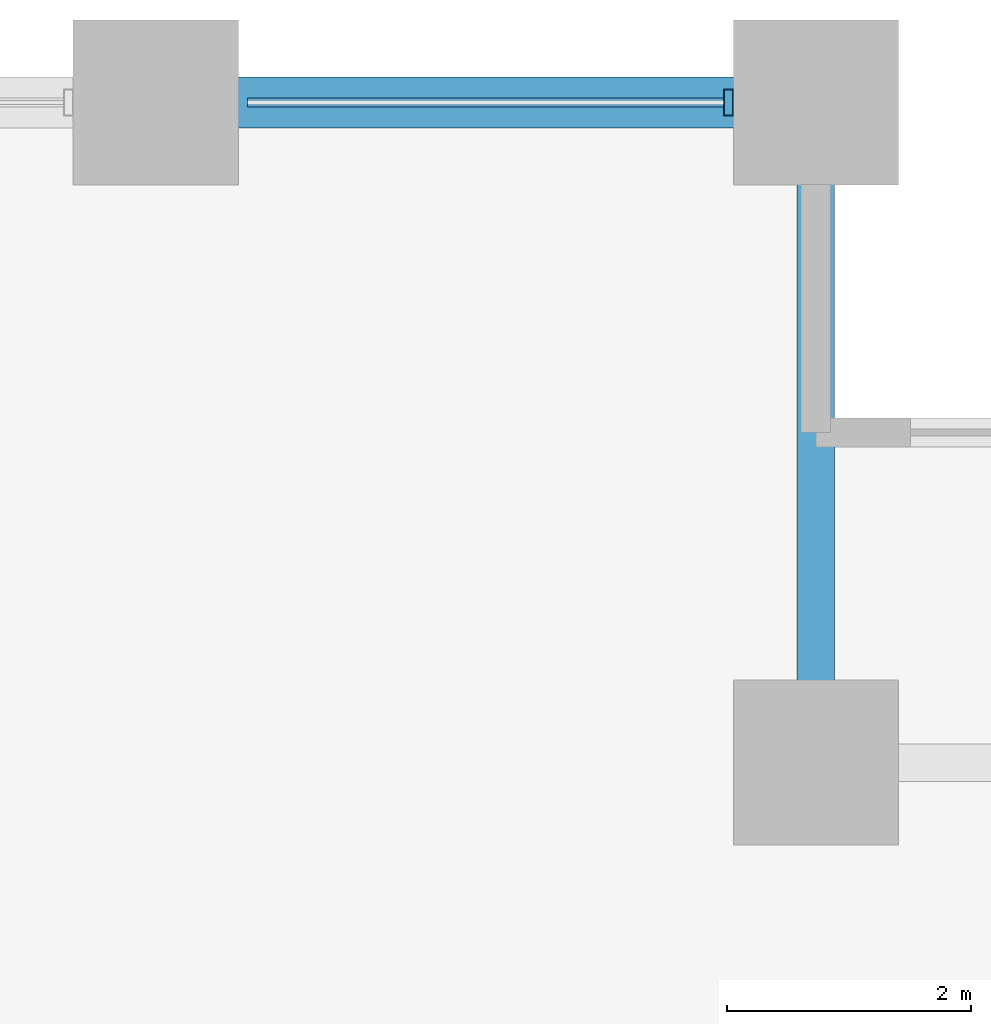
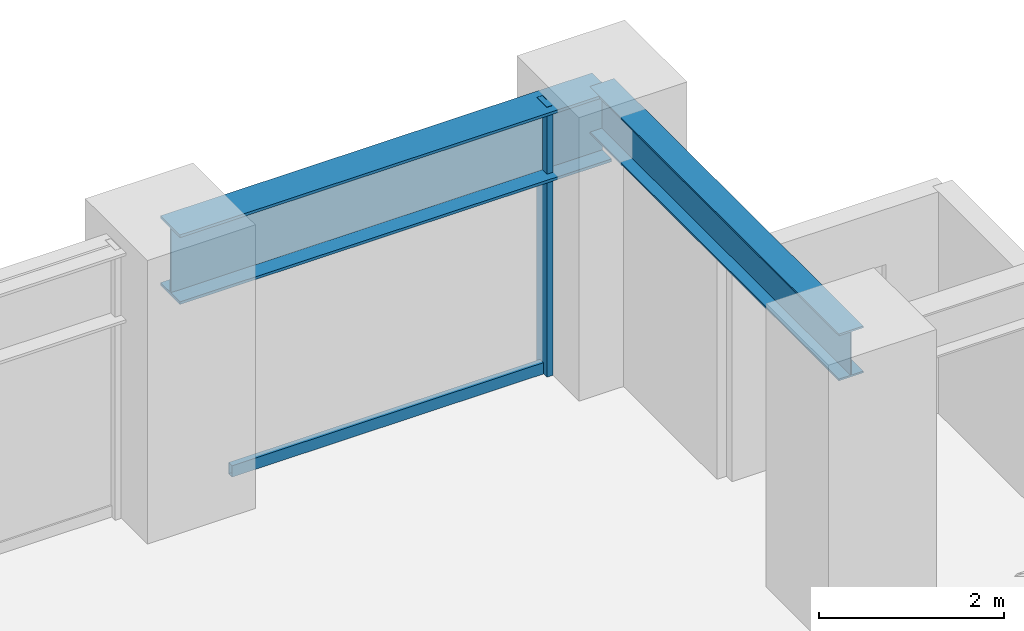
# One storey, part 16 of 25: 2 beams, 2 members, 1 element without a shape of its own.
"""IFC4 building model written with IfcOpenShell, lengths in metres."""

from ifc_helpers import new_model, si_unit, direction, frame, origin, origin_2d, place, context, subcontext, project, spatial, hollow_rectangle, i_section, extrude, material, layer, layer_set, material_profile, profile_set, type_object, element, aggregate, save


model = new_model("IFC4")

# Units and contexts
model_context = context("Model", 3, precision=1e-05, world=origin(), true_north=direction((0.0, 1.0)))
body_context = subcontext(model_context, "Body", "Model", "MODEL_VIEW")
ifc_project = project(units=[si_unit("LENGTHUNIT", "METRE"), si_unit("AREAUNIT", "SQUARE_METRE"), si_unit("VOLUMEUNIT", "CUBIC_METRE"), si_unit("PLANEANGLEUNIT", "RADIAN"), si_unit("MASSUNIT", "GRAM", prefix="KILO")], contexts=[model_context])

# Site, building, storey
site_placement = place(None, origin())
site = spatial("IfcSite", under=ifc_project, at=site_placement, CompositionType="ELEMENT")
building_placement = place(site_placement, origin())
building = spatial("IfcBuilding", under=site, at=building_placement, Name="Surkhivell Harbour Commons", CompositionType="ELEMENT")
storey_placement = place(building_placement, frame((0.0, 0.0, 52.5)))
storey = spatial("IfcBuildingStorey", under=building, at=storey_placement, Name="L13", CompositionType="ELEMENT", Elevation=52.5)

# Beams
ifc_material_1 = material(Name="Steel S355", Category="steel")
ifc_material_profile_1 = material_profile(ifc_material_1, i_section(OverallWidth=0.306884765625, OverallDepth=0.6201171875, WebThickness=0.01416015625, FlangeThickness=0.023681640625, at=origin_2d()), Name="UB610x305x179")
ifc_profile_set_1 = profile_set([ifc_material_profile_1], Name="Steel S355")
beam_type_1 = type_object("IfcBeamType", Name="BM-GRD-610A", PredefinedType="BEAM", material=ifc_profile_set_1)
beam_1_placement = place(storey_placement, frame((27.0, 20.5, 3.260009765625), z_axis=(0.0, 1.0, 0.0), x_axis=(-1.0, 0.0, 0.0)))
element("IfcBeam", 1, at=beam_1_placement, inside=storey, type_object=beam_type_1, Name="L13 Floor Girder (27.0,20.5)", PredefinedType="BEAM", context=body_context, shape_type="SweptSolid", body=[
    extrude(i_section(OverallWidth=0.306884765625, OverallDepth=0.6201171875, WebThickness=0.01416015625, FlangeThickness=0.023681640625, at=origin_2d()), origin(), (0.0, 0.0, 1.0), 5.39990234375),
])
ifc_material_2 = material(Name="Steel S460", Category="steel")
ifc_material_profile_2 = material_profile(ifc_material_2, i_section(OverallWidth=0.419921875, OverallDepth=0.9208984375, WebThickness=0.021484375, FlangeThickness=0.03662109375, at=origin_2d()), Name="UB914x419x388")
ifc_profile_set_2 = profile_set([ifc_material_profile_2], Name="Steel S460")
beam_type_2 = type_object("IfcBeamType", Name="BM-SPN-914A", PredefinedType="SPANDREL", material=ifc_profile_set_2)
beam_2_placement = place(storey_placement, frame((21.60009765625, 25.89990234375, 3.109619140625), z_axis=(1.0, 0.0, 0.0), x_axis=(0.0, 1.0, 0.0)))
element("IfcBeam", 2, at=beam_2_placement, inside=storey, type_object=beam_type_2, Name="L13 Tube Spandrel (21.6,25.9)", PredefinedType="SPANDREL", context=body_context, shape_type="SweptSolid", body=[
    extrude(i_section(OverallWidth=0.419921875, OverallDepth=0.9208984375, WebThickness=0.021484375, FlangeThickness=0.03662109375, at=origin_2d()), origin(), (0.0, 0.0, 1.0), 5.39990234375),
])

# Curtain wall, members
ifc_material_3 = material(Name="Anodised pale-metal aluminium and insulated glazing", Category="aluminium")
ifc_layer = layer(ifc_material_3, 0.219970703125)
ifc_layer_set = layer_set([ifc_layer], Name="Anodised pale-metal aluminium and insulated glazing")
curtain_wall_type = type_object("IfcCurtainWallType", Name="CW-SYS-Z1", PredefinedType="NOTDEFINED", material=ifc_layer_set)
curtain_wall_placement = place(storey_placement, origin())
curtain_wall = element("IfcCurtainWall", 3, at=curtain_wall_placement, inside=storey, type_object=curtain_wall_type, Name="L13 Curtain Wall CW-L13-E07S1", PredefinedType="NOTDEFINED")
ifc_material_4 = material(Name="Anodised pale-metal aluminium alloy 6063-T6", Category="aluminium")
ifc_material_profile_3 = material_profile(ifc_material_4, hollow_rectangle(XDim=0.074951171875, YDim=0.219970703125, WallThickness=0.00390625, at=origin_2d()), Name="ALU-MULL-75x220")
ifc_profile_set_3 = profile_set([ifc_material_profile_3], Name="Anodised pale-metal aluminium alloy 6063-T6")
member_type_1 = type_object("IfcMemberType", Name="CWM-220", PredefinedType="MULLION", material=ifc_profile_set_3)
member_1_placement = place(storey_placement, frame((26.285400390625, 25.89990234375, 0.0), z_axis=(0.0, 0.0, 1.0), x_axis=(-1.0, 0.0, 0.0)))
member_1 = element("IfcMember", 4, at=member_1_placement, type_object=member_type_1, Name="CW-Z1 mullion 1", PredefinedType="MULLION", context=body_context, shape_type="SweptSolid", body=[
    extrude(hollow_rectangle(XDim=0.074951171875, YDim=0.219970703125, WallThickness=0.00390625, at=origin_2d()), origin(), (0.0, 0.0, 1.0), 3.570068359375),
])
ifc_material_profile_4 = material_profile(ifc_material_4, hollow_rectangle(XDim=0.074951171875, YDim=0.14990234375, WallThickness=0.00341796875, at=origin_2d()), Name="ALU-TRAN-75x150")
ifc_profile_set_4 = profile_set([ifc_material_profile_4], Name="Anodised pale-metal aluminium alloy 6063-T6")
member_type_2 = type_object("IfcMemberType", Name="CWT-150", PredefinedType="USERDEFINED", material=ifc_profile_set_4)
member_2_placement = place(storey_placement, frame((26.248046875, 25.89990234375, 0.074951171875), z_axis=(-1.0, 0.0, 0.0), x_axis=(0.0, -1.0, 0.0)))
member_2 = element("IfcMember", 5, at=member_2_placement, type_object=member_type_2, Name="CW-Z1 transom 1.1", ObjectType="TRANSOM", PredefinedType="USERDEFINED", context=body_context, shape_type="SweptSolid", body=[
    extrude(hollow_rectangle(XDim=0.074951171875, YDim=0.14990234375, WallThickness=0.00341796875, at=origin_2d()), origin(), (0.0, 0.0, 1.0), 3.89599609375),
])
aggregate(curtain_wall, [member_1, member_2])

save(model, "model.ifc")
